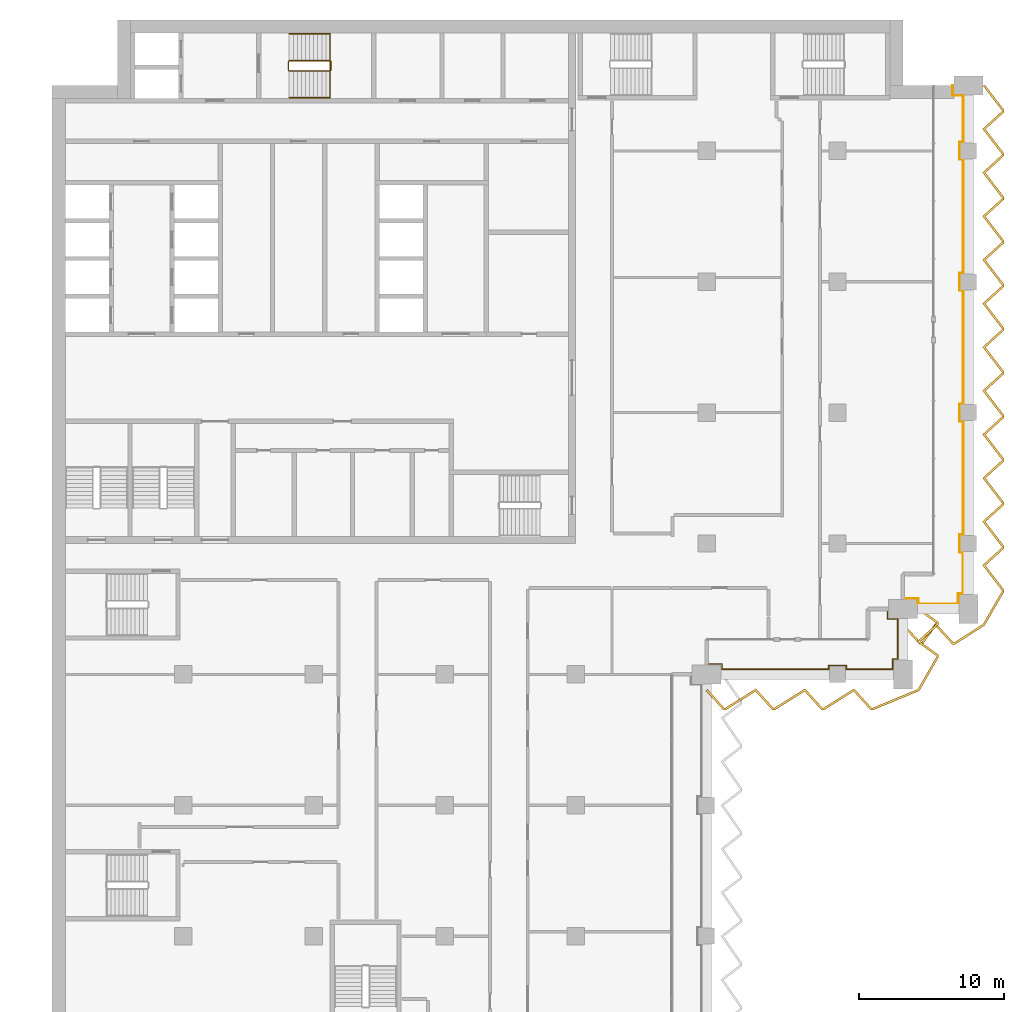
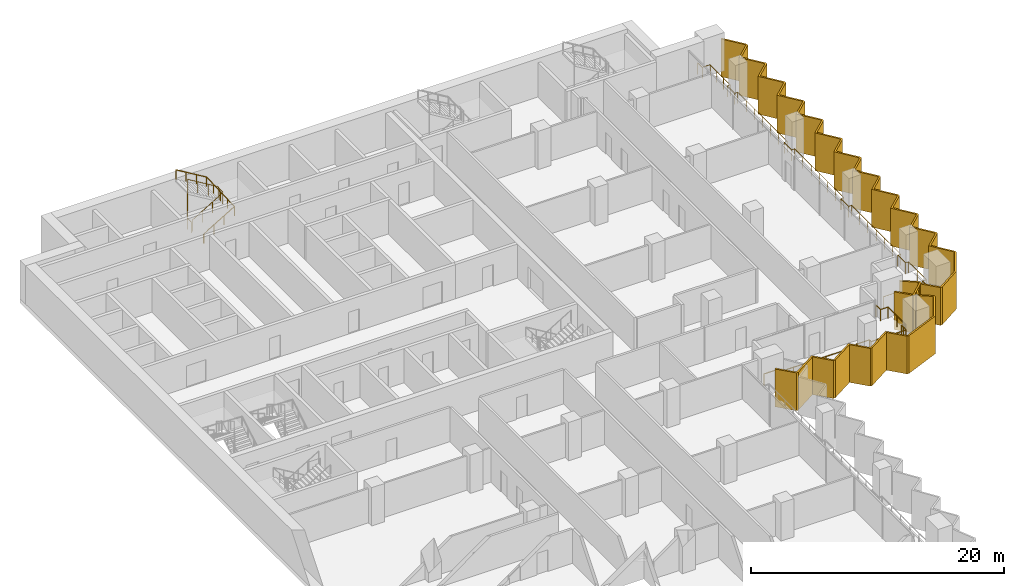
# One storey, part 22 of 23: 4 railings, 2 shading devices.
"""IFC4 building model written with IfcOpenShell, lengths in metres."""

from ifc_helpers import new_model, si_unit, direction, frame, origin, origin_2d, place, context, subcontext, project, spatial, polyline, circle, outline, extrude, material, layer, layer_set, type_object, element, save


model = new_model("IFC4")

# Units and contexts
model_context = context("Model", 3, precision=1e-05, world=origin(), true_north=direction((0.0, 1.0)))
body_context = subcontext(model_context, "Body", "Model", "MODEL_VIEW")
ifc_project = project(units=[si_unit("LENGTHUNIT", "METRE"), si_unit("AREAUNIT", "SQUARE_METRE"), si_unit("VOLUMEUNIT", "CUBIC_METRE"), si_unit("PLANEANGLEUNIT", "RADIAN"), si_unit("MASSUNIT", "GRAM", prefix="KILO")], contexts=[model_context])

# Site, building, storey
site_placement = place(None, origin())
site = spatial("IfcSite", under=ifc_project, at=site_placement, CompositionType="ELEMENT")
building_placement = place(site_placement, origin())
building = spatial("IfcBuilding", under=site, at=building_placement, Name="Hunhe Ridgeline Campus", CompositionType="ELEMENT")
storey_placement = place(building_placement, frame((0.0, 0.0, 144.89990234375)))
storey = spatial("IfcBuildingStorey", under=building, at=storey_placement, Name="L36", CompositionType="ELEMENT", Elevation=144.89990234375)

# Railings
ifc_material_1 = material(Name="Steel Q355", Category="steel")
railing_type_1 = type_object("IfcRailingType", Name="Loggia guard 1100 Steel Q355", PredefinedType="GUARDRAIL", material=ifc_material_1)
railing_1_placement = place(storey_placement, frame((45.0, 54.719970703125, 0.0)))
element("IfcRailing", 1, at=railing_1_placement, inside=storey, type_object=railing_type_1, Name="Loggia guard 2", PredefinedType="GUARDRAIL", context=body_context, shape_type="SweptSolid", body=[
    extrude(circle(Radius=0.02392578125, at=origin_2d()), frame((0.0, 0.0, 1.076171875), z_axis=(1.0, 0.0, 0.0), x_axis=(0.0, 1.0, 0.0)), (0.0, 0.0, 1.0), 1.050048828125),
    extrude(circle(Radius=0.02392578125, at=origin_2d()), frame((1.050048828125, 0.0, 1.076171875), z_axis=(0.0, -1.0, 0.0), x_axis=(1.0, 0.0, 0.0)), (0.0, 0.0, 1.0), 0.369873046875),
    extrude(circle(Radius=0.02392578125, at=origin_2d()), frame((1.050048828125, -0.369873046875, 1.076171875), z_axis=(1.0, 0.0, 0.0), x_axis=(0.0, 1.0, 0.0)), (0.0, 0.0, 1.0), 7.349853515625),
    extrude(circle(Radius=0.02392578125, at=origin_2d()), frame((8.39990234375, -0.369873046875, 1.076171875), z_axis=(0.0, 1.0, 0.0), x_axis=(-1.0, 0.0, 0.0)), (0.0, 0.0, 1.0), 0.27001953125),
    extrude(circle(Radius=0.02392578125, at=origin_2d()), frame((8.39990234375, -0.099853515625, 1.076171875), z_axis=(1.0, 0.0, 0.0), x_axis=(0.0, 1.0, 0.0)), (0.0, 0.0, 1.0), 1.2001953125),
    extrude(circle(Radius=0.02392578125, at=origin_2d()), frame((9.60009765625, -0.099853515625, 1.076171875), z_axis=(0.0, -1.0, 0.0), x_axis=(1.0, 0.0, 0.0)), (0.0, 0.0, 1.0), 0.27001953125),
    extrude(circle(Radius=0.02392578125, at=origin_2d()), frame((9.60009765625, -0.369873046875, 1.076171875), z_axis=(1.0, 0.0, 0.0), x_axis=(0.0, 1.0, 0.0)), (0.0, 0.0, 1.0), 3.199951171875),
    extrude(circle(Radius=0.02392578125, at=origin_2d()), frame((12.800048828125, -0.369873046875, 1.076171875), z_axis=(0.0, 1.0, 0.0), x_axis=(-1.0, 0.0, 0.0)), (0.0, 0.0, 1.0), 0.719970703125),
    extrude(circle(Radius=0.02392578125, at=origin_2d()), frame((12.800048828125, 0.35009765625, 1.076171875), z_axis=(-0.057089444596, -0.998369067688, 0.0), x_axis=(0.998369067688, -0.057089444596, 0.0)), (0.0, 0.0, 1.0), 0.3505859375),
    extrude(circle(Radius=0.02392578125, at=origin_2d()), frame((12.780029296875, 0.0, 1.076171875), z_axis=(0.0, 1.0, 0.0), x_axis=(-1.0, 0.0, 0.0)), (0.0, 0.0, 1.0), 0.330078125),
    extrude(circle(Radius=0.02392578125, at=origin_2d()), frame((12.780029296875, 0.330078125, 1.076171875), z_axis=(1.0, 0.0, 0.0), x_axis=(0.0, 1.0, 0.0)), (0.0, 0.0, 1.0), 0.369873046875),
    extrude(circle(Radius=0.02392578125, at=origin_2d()), frame((13.14990234375, 0.330078125, 1.076171875), z_axis=(0.0, 1.0, 0.0), x_axis=(-1.0, 0.0, 0.0)), (0.0, 0.0, 1.0), 2.75),
    extrude(circle(Radius=0.02392578125, at=origin_2d()), frame((13.14990234375, 3.080078125, 1.076171875), z_axis=(-1.0, 0.0, 0.0), x_axis=(0.0, -1.0, 0.0)), (0.0, 0.0, 1.0), 0.719970703125),
    extrude(circle(Radius=0.02392578125, at=origin_2d()), frame((12.429931640625, 3.080078125, 1.076171875), z_axis=(0.0, 1.0, 0.0), x_axis=(-1.0, 0.0, 0.0)), (0.0, 0.0, 1.0), 0.699951171875),
    extrude(circle(Radius=0.02099609375, at=origin_2d()), origin(), (0.0, 0.0, 1.0), 1.052001953125),
    extrude(circle(Radius=0.02099609375, at=origin_2d()), frame((1.050048828125, 0.0, 0.0)), (0.0, 0.0, 1.0), 1.052001953125),
    extrude(circle(Radius=0.02099609375, at=origin_2d()), frame((1.050048828125, -0.369873046875, 0.0)), (0.0, 0.0, 1.0), 1.052001953125),
    extrude(circle(Radius=0.02099609375, at=origin_2d()), frame((2.52001953125, -0.369873046875, 0.0)), (0.0, 0.0, 1.0), 1.052001953125),
    extrude(circle(Radius=0.02099609375, at=origin_2d()), frame((3.989990234375, -0.369873046875, 0.0)), (0.0, 0.0, 1.0), 1.052001953125),
    extrude(circle(Radius=0.02099609375, at=origin_2d()), frame((5.4599609375, -0.369873046875, 0.0)), (0.0, 0.0, 1.0), 1.052001953125),
    extrude(circle(Radius=0.02099609375, at=origin_2d()), frame((6.929931640625, -0.369873046875, 0.0)), (0.0, 0.0, 1.0), 1.052001953125),
    extrude(circle(Radius=0.02099609375, at=origin_2d()), frame((8.39990234375, -0.369873046875, 0.0)), (0.0, 0.0, 1.0), 1.052001953125),
    extrude(circle(Radius=0.02099609375, at=origin_2d()), frame((8.39990234375, -0.099853515625, 0.0)), (0.0, 0.0, 1.0), 1.052001953125),
    extrude(circle(Radius=0.02099609375, at=origin_2d()), frame((9.60009765625, -0.099853515625, 0.0)), (0.0, 0.0, 1.0), 1.052001953125),
    extrude(circle(Radius=0.02099609375, at=origin_2d()), frame((9.60009765625, -0.369873046875, 0.0)), (0.0, 0.0, 1.0), 1.052001953125),
    extrude(circle(Radius=0.02099609375, at=origin_2d()), frame((10.666748046875, -0.369873046875, 0.0)), (0.0, 0.0, 1.0), 1.052001953125),
    extrude(circle(Radius=0.02099609375, at=origin_2d()), frame((11.7333984375, -0.369873046875, 0.0)), (0.0, 0.0, 1.0), 1.052001953125),
    extrude(circle(Radius=0.02099609375, at=origin_2d()), frame((12.800048828125, -0.369873046875, 0.0)), (0.0, 0.0, 1.0), 1.052001953125),
    extrude(circle(Radius=0.02099609375, at=origin_2d()), frame((12.800048828125, 0.35009765625, 0.0)), (0.0, 0.0, 1.0), 1.052001953125),
    extrude(circle(Radius=0.02099609375, at=origin_2d()), frame((12.780029296875, 0.0, 0.0)), (0.0, 0.0, 1.0), 1.052001953125),
    extrude(circle(Radius=0.02099609375, at=origin_2d()), frame((12.780029296875, 0.330078125, 0.0)), (0.0, 0.0, 1.0), 1.052001953125),
    extrude(circle(Radius=0.02099609375, at=origin_2d()), frame((13.14990234375, 0.330078125, 0.0)), (0.0, 0.0, 1.0), 1.052001953125),
    extrude(circle(Radius=0.02099609375, at=origin_2d()), frame((13.14990234375, 1.705078125, 0.0)), (0.0, 0.0, 1.0), 1.052001953125),
    extrude(circle(Radius=0.02099609375, at=origin_2d()), frame((13.14990234375, 3.080078125, 0.0)), (0.0, 0.0, 1.0), 1.052001953125),
    extrude(circle(Radius=0.02099609375, at=origin_2d()), frame((12.429931640625, 3.080078125, 0.0)), (0.0, 0.0, 1.0), 1.052001953125),
    extrude(circle(Radius=0.02099609375, at=origin_2d()), frame((12.429931640625, 3.780029296875, 0.0)), (0.0, 0.0, 1.0), 1.052001953125),
])
railing_2_placement = place(storey_placement, frame((58.5, 59.219970703125, 0.0)))
element("IfcRailing", 2, at=railing_2_placement, inside=storey, type_object=railing_type_1, Name="Loggia guard 3", PredefinedType="GUARDRAIL", context=body_context, shape_type="SweptSolid", body=[
    extrude(circle(Radius=0.02392578125, at=origin_2d()), frame((0.0, 0.0, 1.076171875), z_axis=(1.0, 0.0, 0.0), x_axis=(0.0, 1.0, 0.0)), (0.0, 0.0, 1.0), 1.050048828125),
    extrude(circle(Radius=0.02392578125, at=origin_2d()), frame((1.050048828125, 0.0, 1.076171875), z_axis=(0.0, -1.0, 0.0), x_axis=(1.0, 0.0, 0.0)), (0.0, 0.0, 1.0), 0.369873046875),
    extrude(circle(Radius=0.02392578125, at=origin_2d()), frame((1.050048828125, -0.369873046875, 1.076171875), z_axis=(1.0, 0.0, 0.0), x_axis=(0.0, 1.0, 0.0)), (0.0, 0.0, 1.0), 2.75),
    extrude(circle(Radius=0.02392578125, at=origin_2d()), frame((3.800048828125, -0.369873046875, 1.076171875), z_axis=(0.0, 1.0, 0.0), x_axis=(-1.0, 0.0, 0.0)), (0.0, 0.0, 1.0), 0.719970703125),
    extrude(circle(Radius=0.02392578125, at=origin_2d()), frame((3.800048828125, 0.35009765625, 1.076171875), z_axis=(-0.057089444596, -0.998369067688, 0.0), x_axis=(0.998369067688, -0.057089444596, 0.0)), (0.0, 0.0, 1.0), 0.3505859375),
    extrude(circle(Radius=0.02392578125, at=origin_2d()), frame((3.780029296875, 0.0, 1.076171875), z_axis=(0.0, 1.0, 0.0), x_axis=(-1.0, 0.0, 0.0)), (0.0, 0.0, 1.0), 0.330078125),
    extrude(circle(Radius=0.02392578125, at=origin_2d()), frame((3.780029296875, 0.330078125, 1.076171875), z_axis=(1.0, 0.0, 0.0), x_axis=(0.0, 1.0, 0.0)), (0.0, 0.0, 1.0), 0.369873046875),
    extrude(circle(Radius=0.02392578125, at=origin_2d()), frame((4.14990234375, 0.330078125, 1.076171875), z_axis=(0.0, 1.0, 0.0), x_axis=(-1.0, 0.0, 0.0)), (0.0, 0.0, 1.0), 2.849853515625),
    extrude(circle(Radius=0.02392578125, at=origin_2d()), frame((4.14990234375, 3.179931640625, 1.076171875), z_axis=(-1.0, 0.0, 0.0), x_axis=(0.0, -1.0, 0.0)), (0.0, 0.0, 1.0), 0.27001953125),
    extrude(circle(Radius=0.02392578125, at=origin_2d()), frame((3.8798828125, 3.179931640625, 1.076171875), z_axis=(0.0, 1.0, 0.0), x_axis=(-1.0, 0.0, 0.0)), (0.0, 0.0, 1.0), 1.2001953125),
    extrude(circle(Radius=0.02392578125, at=origin_2d()), frame((3.8798828125, 4.380126953125, 1.076171875), z_axis=(1.0, 0.0, 0.0), x_axis=(0.0, 1.0, 0.0)), (0.0, 0.0, 1.0), 0.27001953125),
    extrude(circle(Radius=0.02392578125, at=origin_2d()), frame((4.14990234375, 4.380126953125, 1.076171875), z_axis=(0.0, 1.0, 0.0), x_axis=(-1.0, 0.0, 0.0)), (0.0, 0.0, 1.0), 7.7998046875),
    extrude(circle(Radius=0.02392578125, at=origin_2d()), frame((4.14990234375, 12.179931640625, 1.076171875), z_axis=(-1.0, 0.0, 0.0), x_axis=(0.0, -1.0, 0.0)), (0.0, 0.0, 1.0), 0.27001953125),
    extrude(circle(Radius=0.02392578125, at=origin_2d()), frame((3.8798828125, 12.179931640625, 1.076171875), z_axis=(0.0, 1.0, 0.0), x_axis=(-1.0, 0.0, 0.0)), (0.0, 0.0, 1.0), 1.2001953125),
    extrude(circle(Radius=0.02392578125, at=origin_2d()), frame((3.8798828125, 13.380126953125, 1.076171875), z_axis=(1.0, 0.0, 0.0), x_axis=(0.0, 1.0, 0.0)), (0.0, 0.0, 1.0), 0.27001953125),
    extrude(circle(Radius=0.02392578125, at=origin_2d()), frame((4.14990234375, 13.380126953125, 1.076171875), z_axis=(0.0, 1.0, 0.0), x_axis=(-1.0, 0.0, 0.0)), (0.0, 0.0, 1.0), 7.7998046875),
    extrude(circle(Radius=0.02392578125, at=origin_2d()), frame((4.14990234375, 21.179931640625, 1.076171875), z_axis=(-1.0, 0.0, 0.0), x_axis=(0.0, -1.0, 0.0)), (0.0, 0.0, 1.0), 0.27001953125),
    extrude(circle(Radius=0.02392578125, at=origin_2d()), frame((3.8798828125, 21.179931640625, 1.076171875), z_axis=(0.0, 1.0, 0.0), x_axis=(-1.0, 0.0, 0.0)), (0.0, 0.0, 1.0), 1.2001953125),
    extrude(circle(Radius=0.02392578125, at=origin_2d()), frame((3.8798828125, 22.380126953125, 1.076171875), z_axis=(1.0, 0.0, 0.0), x_axis=(0.0, 1.0, 0.0)), (0.0, 0.0, 1.0), 0.27001953125),
    extrude(circle(Radius=0.02392578125, at=origin_2d()), frame((4.14990234375, 22.380126953125, 1.076171875), z_axis=(0.0, 1.0, 0.0), x_axis=(-1.0, 0.0, 0.0)), (0.0, 0.0, 1.0), 7.7998046875),
    extrude(circle(Radius=0.02392578125, at=origin_2d()), frame((4.14990234375, 30.179931640625, 1.076171875), z_axis=(-1.0, 0.0, 0.0), x_axis=(0.0, -1.0, 0.0)), (0.0, 0.0, 1.0), 0.27001953125),
    extrude(circle(Radius=0.02392578125, at=origin_2d()), frame((3.8798828125, 30.179931640625, 1.076171875), z_axis=(0.0, 1.0, 0.0), x_axis=(-1.0, 0.0, 0.0)), (0.0, 0.0, 1.0), 1.2001953125),
    extrude(circle(Radius=0.02392578125, at=origin_2d()), frame((3.8798828125, 31.380126953125, 1.076171875), z_axis=(1.0, 0.0, 0.0), x_axis=(0.0, 1.0, 0.0)), (0.0, 0.0, 1.0), 0.27001953125),
    extrude(circle(Radius=0.02392578125, at=origin_2d()), frame((4.14990234375, 31.380126953125, 1.076171875), z_axis=(0.0, 1.0, 0.0), x_axis=(-1.0, 0.0, 0.0)), (0.0, 0.0, 1.0), 3.199951171875),
    extrude(circle(Radius=0.02392578125, at=origin_2d()), frame((4.14990234375, 34.580078125, 1.076171875), z_axis=(-1.0, 0.0, 0.0), x_axis=(0.0, -1.0, 0.0)), (0.0, 0.0, 1.0), 0.719970703125),
    extrude(circle(Radius=0.02392578125, at=origin_2d()), frame((3.429931640625, 34.580078125, 1.076171875), z_axis=(0.0, 1.0, 0.0), x_axis=(-1.0, 0.0, 0.0)), (0.0, 0.0, 1.0), 0.699951171875),
    extrude(circle(Radius=0.02099609375, at=origin_2d()), origin(), (0.0, 0.0, 1.0), 1.052001953125),
    extrude(circle(Radius=0.02099609375, at=origin_2d()), frame((1.050048828125, 0.0, 0.0)), (0.0, 0.0, 1.0), 1.052001953125),
    extrude(circle(Radius=0.02099609375, at=origin_2d()), frame((1.050048828125, -0.369873046875, 0.0)), (0.0, 0.0, 1.0), 1.052001953125),
    extrude(circle(Radius=0.02099609375, at=origin_2d()), frame((2.425048828125, -0.369873046875, 0.0)), (0.0, 0.0, 1.0), 1.052001953125),
    extrude(circle(Radius=0.02099609375, at=origin_2d()), frame((3.800048828125, -0.369873046875, 0.0)), (0.0, 0.0, 1.0), 1.052001953125),
    extrude(circle(Radius=0.02099609375, at=origin_2d()), frame((3.800048828125, 0.35009765625, 0.0)), (0.0, 0.0, 1.0), 1.052001953125),
    extrude(circle(Radius=0.02099609375, at=origin_2d()), frame((3.780029296875, 0.0, 0.0)), (0.0, 0.0, 1.0), 1.052001953125),
    extrude(circle(Radius=0.02099609375, at=origin_2d()), frame((3.780029296875, 0.330078125, 0.0)), (0.0, 0.0, 1.0), 1.052001953125),
    extrude(circle(Radius=0.02099609375, at=origin_2d()), frame((4.14990234375, 0.330078125, 0.0)), (0.0, 0.0, 1.0), 1.052001953125),
    extrude(circle(Radius=0.02099609375, at=origin_2d()), frame((4.14990234375, 1.7548828125, 0.0)), (0.0, 0.0, 1.0), 1.052001953125),
    extrude(circle(Radius=0.02099609375, at=origin_2d()), frame((4.14990234375, 3.179931640625, 0.0)), (0.0, 0.0, 1.0), 1.052001953125),
    extrude(circle(Radius=0.02099609375, at=origin_2d()), frame((3.8798828125, 3.179931640625, 0.0)), (0.0, 0.0, 1.0), 1.052001953125),
    extrude(circle(Radius=0.02099609375, at=origin_2d()), frame((3.8798828125, 4.380126953125, 0.0)), (0.0, 0.0, 1.0), 1.052001953125),
    extrude(circle(Radius=0.02099609375, at=origin_2d()), frame((4.14990234375, 4.380126953125, 0.0)), (0.0, 0.0, 1.0), 1.052001953125),
    extrude(circle(Radius=0.02099609375, at=origin_2d()), frame((4.14990234375, 5.68017578125, 0.0)), (0.0, 0.0, 1.0), 1.052001953125),
    extrude(circle(Radius=0.02099609375, at=origin_2d()), frame((4.14990234375, 6.97998046875, 0.0)), (0.0, 0.0, 1.0), 1.052001953125),
    extrude(circle(Radius=0.02099609375, at=origin_2d()), frame((4.14990234375, 8.280029296875, 0.0)), (0.0, 0.0, 1.0), 1.052001953125),
    extrude(circle(Radius=0.02099609375, at=origin_2d()), frame((4.14990234375, 9.580078125, 0.0)), (0.0, 0.0, 1.0), 1.052001953125),
    extrude(circle(Radius=0.02099609375, at=origin_2d()), frame((4.14990234375, 10.8798828125, 0.0)), (0.0, 0.0, 1.0), 1.052001953125),
    extrude(circle(Radius=0.02099609375, at=origin_2d()), frame((4.14990234375, 12.179931640625, 0.0)), (0.0, 0.0, 1.0), 1.052001953125),
    extrude(circle(Radius=0.02099609375, at=origin_2d()), frame((3.8798828125, 12.179931640625, 0.0)), (0.0, 0.0, 1.0), 1.052001953125),
    extrude(circle(Radius=0.02099609375, at=origin_2d()), frame((3.8798828125, 13.380126953125, 0.0)), (0.0, 0.0, 1.0), 1.052001953125),
    extrude(circle(Radius=0.02099609375, at=origin_2d()), frame((4.14990234375, 13.380126953125, 0.0)), (0.0, 0.0, 1.0), 1.052001953125),
    extrude(circle(Radius=0.02099609375, at=origin_2d()), frame((4.14990234375, 14.68017578125, 0.0)), (0.0, 0.0, 1.0), 1.052001953125),
    extrude(circle(Radius=0.02099609375, at=origin_2d()), frame((4.14990234375, 15.97998046875, 0.0)), (0.0, 0.0, 1.0), 1.052001953125),
    extrude(circle(Radius=0.02099609375, at=origin_2d()), frame((4.14990234375, 17.280029296875, 0.0)), (0.0, 0.0, 1.0), 1.052001953125),
    extrude(circle(Radius=0.02099609375, at=origin_2d()), frame((4.14990234375, 18.580078125, 0.0)), (0.0, 0.0, 1.0), 1.052001953125),
    extrude(circle(Radius=0.02099609375, at=origin_2d()), frame((4.14990234375, 19.8798828125, 0.0)), (0.0, 0.0, 1.0), 1.052001953125),
    extrude(circle(Radius=0.02099609375, at=origin_2d()), frame((4.14990234375, 21.179931640625, 0.0)), (0.0, 0.0, 1.0), 1.052001953125),
    extrude(circle(Radius=0.02099609375, at=origin_2d()), frame((3.8798828125, 21.179931640625, 0.0)), (0.0, 0.0, 1.0), 1.052001953125),
    extrude(circle(Radius=0.02099609375, at=origin_2d()), frame((3.8798828125, 22.380126953125, 0.0)), (0.0, 0.0, 1.0), 1.052001953125),
    extrude(circle(Radius=0.02099609375, at=origin_2d()), frame((4.14990234375, 22.380126953125, 0.0)), (0.0, 0.0, 1.0), 1.052001953125),
    extrude(circle(Radius=0.02099609375, at=origin_2d()), frame((4.14990234375, 23.68017578125, 0.0)), (0.0, 0.0, 1.0), 1.052001953125),
    extrude(circle(Radius=0.02099609375, at=origin_2d()), frame((4.14990234375, 24.97998046875, 0.0)), (0.0, 0.0, 1.0), 1.052001953125),
    extrude(circle(Radius=0.02099609375, at=origin_2d()), frame((4.14990234375, 26.280029296875, 0.0)), (0.0, 0.0, 1.0), 1.052001953125),
    extrude(circle(Radius=0.02099609375, at=origin_2d()), frame((4.14990234375, 27.580078125, 0.0)), (0.0, 0.0, 1.0), 1.052001953125),
    extrude(circle(Radius=0.02099609375, at=origin_2d()), frame((4.14990234375, 28.8798828125, 0.0)), (0.0, 0.0, 1.0), 1.052001953125),
    extrude(circle(Radius=0.02099609375, at=origin_2d()), frame((4.14990234375, 30.179931640625, 0.0)), (0.0, 0.0, 1.0), 1.052001953125),
    extrude(circle(Radius=0.02099609375, at=origin_2d()), frame((3.8798828125, 30.179931640625, 0.0)), (0.0, 0.0, 1.0), 1.052001953125),
    extrude(circle(Radius=0.02099609375, at=origin_2d()), frame((3.8798828125, 31.380126953125, 0.0)), (0.0, 0.0, 1.0), 1.052001953125),
    extrude(circle(Radius=0.02099609375, at=origin_2d()), frame((4.14990234375, 31.380126953125, 0.0)), (0.0, 0.0, 1.0), 1.052001953125),
    extrude(circle(Radius=0.02099609375, at=origin_2d()), frame((4.14990234375, 32.44677734375, 0.0)), (0.0, 0.0, 1.0), 1.052001953125),
    extrude(circle(Radius=0.02099609375, at=origin_2d()), frame((4.14990234375, 33.513427734375, 0.0)), (0.0, 0.0, 1.0), 1.052001953125),
    extrude(circle(Radius=0.02099609375, at=origin_2d()), frame((4.14990234375, 34.580078125, 0.0)), (0.0, 0.0, 1.0), 1.052001953125),
    extrude(circle(Radius=0.02099609375, at=origin_2d()), frame((3.429931640625, 34.580078125, 0.0)), (0.0, 0.0, 1.0), 1.052001953125),
    extrude(circle(Radius=0.02099609375, at=origin_2d()), frame((3.429931640625, 35.280029296875, 0.0)), (0.0, 0.0, 1.0), 1.052001953125),
])

# Shading devices
ifc_material_2 = material(Name="Concrete C50", Category="concrete")
ifc_layer = layer(ifc_material_2, 0.14990234375)
ifc_layer_set = layer_set([ifc_layer], Name="Sawtooth concrete fin 150 Concrete C50")
shading_device_type = type_object("IfcShadingDeviceType", Name="Sawtooth concrete fin 150 Concrete C50", PredefinedType="USERDEFINED", material=ifc_layer_set)
shading_device_1_placement = place(storey_placement, frame((0.0, 0.0, -0.949951171875)))
element("IfcShadingDevice", 3, at=shading_device_1_placement, inside=storey, type_object=shading_device_type, Name="Concrete fin screen 2", ObjectType="FIN", PredefinedType="USERDEFINED", context=body_context, shape_type="SweptSolid", body=[
    extrude(outline(polyline([(45.055419921875, 52.9755859375), (44.944580078125, 52.87451171875), (46.15283203125, 51.550048828125), (46.32763671875, 51.550048828125), (48.36181640625, 52.828125), (49.52783203125, 51.550048828125), (49.70263671875, 51.550048828125), (51.73681640625, 52.828125), (52.90283203125, 51.550048828125), (53.07763671875, 51.550048828125), (55.11181640625, 52.828125), (56.27783203125, 51.550048828125), (56.44580078125, 51.550048828125), (59.627197265625, 52.865478515625), (60.949951171875, 55.166015625), (60.949951171875, 55.34423828125), (59.693603515625, 56.256591796875), (60.949951171875, 57.40283203125), (60.949951171875, 57.59423828125), (59.619140625, 58.560791015625), (59.531005859375, 58.439208984375), (60.800048828125, 57.517822265625), (60.800048828125, 57.46923828125), (59.45654296875, 56.243408203125), (60.800048828125, 55.267822265625), (60.800048828125, 55.2060546875), (59.522705078125, 52.984619140625), (56.416015625, 51.699951171875), (56.34423828125, 51.699951171875), (55.13818359375, 53.021728515625), (53.034423828125, 51.699951171875), (52.96923828125, 51.699951171875), (51.76318359375, 53.021728515625), (49.659423828125, 51.699951171875), (49.59423828125, 51.699951171875), (48.38818359375, 53.021728515625), (46.284423828125, 51.699951171875), (46.21923828125, 51.699951171875), (45.055419921875, 52.9755859375)])), origin(), (0.0, 0.0, 1.0), 3.650146484375),
])
shading_device_2_placement = place(storey_placement, frame((0.0, 0.0, -0.949951171875)))
element("IfcShadingDevice", 4, at=shading_device_2_placement, inside=storey, type_object=shading_device_type, Name="Concrete fin screen 3", ObjectType="FIN", PredefinedType="USERDEFINED", context=body_context, shape_type="SweptSolid", body=[
    extrude(outline(polyline([(58.555419921875, 57.4755859375), (58.444580078125, 57.37451171875), (59.65283203125, 56.050048828125), (59.84423828125, 56.050048828125), (60.756591796875, 57.306396484375), (61.90283203125, 56.050048828125), (62.078125, 56.050048828125), (64.130859375, 57.371826171875), (65.449951171875, 59.666015625), (65.449951171875, 59.83154296875), (64.176513671875, 61.490966796875), (65.449951171875, 62.65283203125), (65.449951171875, 62.83154296875), (64.176513671875, 64.490966796875), (65.449951171875, 65.65283203125), (65.449951171875, 65.83154296875), (64.176513671875, 67.490966796875), (65.449951171875, 68.65283203125), (65.449951171875, 68.83154296875), (64.176513671875, 70.490966796875), (65.449951171875, 71.65283203125), (65.449951171875, 71.83154296875), (64.176513671875, 73.490966796875), (65.449951171875, 74.65283203125), (65.449951171875, 74.83154296875), (64.176513671875, 76.490966796875), (65.449951171875, 77.65283203125), (65.449951171875, 77.83154296875), (64.176513671875, 79.490966796875), (65.449951171875, 80.65283203125), (65.449951171875, 80.83154296875), (64.176513671875, 82.490966796875), (65.449951171875, 83.65283203125), (65.449951171875, 83.83154296875), (64.176513671875, 85.490966796875), (65.449951171875, 86.65283203125), (65.449951171875, 86.83154296875), (64.176513671875, 88.490966796875), (65.449951171875, 89.65283203125), (65.449951171875, 89.83154296875), (64.176513671875, 91.490966796875), (65.449951171875, 92.65283203125), (65.449951171875, 92.83154296875), (64.134521484375, 94.545654296875), (64.015380859375, 94.454345703125), (65.300048828125, 92.780517578125), (65.300048828125, 92.71923828125), (63.9736328125, 91.509033203125), (65.300048828125, 89.780517578125), (65.300048828125, 89.71923828125), (63.9736328125, 88.509033203125), (65.300048828125, 86.780517578125), (65.300048828125, 86.71923828125), (63.9736328125, 85.509033203125), (65.300048828125, 83.780517578125), (65.300048828125, 83.71923828125), (63.9736328125, 82.509033203125), (65.300048828125, 80.780517578125), (65.300048828125, 80.71923828125), (63.9736328125, 79.509033203125), (65.300048828125, 77.780517578125), (65.300048828125, 77.71923828125), (63.9736328125, 76.509033203125), (65.300048828125, 74.780517578125), (65.300048828125, 74.71923828125), (63.9736328125, 73.509033203125), (65.300048828125, 71.780517578125), (65.300048828125, 71.71923828125), (63.9736328125, 70.509033203125), (65.300048828125, 68.780517578125), (65.300048828125, 68.71923828125), (63.9736328125, 67.509033203125), (65.300048828125, 65.780517578125), (65.300048828125, 65.71923828125), (63.9736328125, 64.509033203125), (65.300048828125, 62.780517578125), (65.300048828125, 62.71923828125), (63.9736328125, 61.509033203125), (65.300048828125, 59.780517578125), (65.300048828125, 59.7060546875), (64.01904296875, 57.478271484375), (62.033935546875, 56.199951171875), (61.96923828125, 56.199951171875), (60.743408203125, 57.54345703125), (59.767822265625, 56.199951171875), (59.71923828125, 56.199951171875), (58.555419921875, 57.4755859375)])), origin(), (0.0, 0.0, 1.0), 3.650146484375),
])

# Railings
ifc_material_3 = material(Name="Stainless steel balustrade", Category="steel")
railing_type_2 = type_object("IfcRailingType", Name="Stair guard 1100 stainless", PredefinedType="GUARDRAIL", material=ifc_material_3)
railing_3_placement = place(storey_placement, frame((16.300048828125, 95.5, 0.168212890625)))
element("IfcRailing", 5, at=railing_3_placement, inside=storey, type_object=railing_type_2, Name="L36 stair S1 guard", PredefinedType="GUARDRAIL", context=body_context, shape_type="SweptSolid", body=[
    extrude(circle(Radius=0.02392578125, at=origin_2d()), frame((0.0, 0.0, 1.076171875), z_axis=(0.857242210791, 0.0, 0.514913383045), x_axis=(0.0, 1.0, 0.0)), (0.0, 0.0, 1.0), 3.266357421875),
    extrude(circle(Radius=0.02392578125, at=origin_2d()), frame((2.800048828125, 0.0, 2.7578125), z_axis=(0.705375805398, 0.708833529934, 0.0), x_axis=(-0.708833529934, 0.705375805398, 0.0)), (0.0, 0.0, 1.0), 0.070556640625),
    extrude(circle(Radius=0.02392578125, at=origin_2d()), frame((2.849853515625, 0.050048828125, 2.7578125), z_axis=(0.0, 1.0, 0.0), x_axis=(-1.0, 0.0, 0.0)), (0.0, 0.0, 1.0), 0.599853515625),
    extrude(circle(Radius=0.02392578125, at=origin_2d()), frame((2.849853515625, 0.64990234375, 2.7578125), z_axis=(-0.273006030465, 0.27434429532, 0.922064485248), x_axis=(-0.708833529934, -0.705375805398, 0.0)), (0.0, 0.0, 1.0), 0.182373046875),
    extrude(circle(Radius=0.02392578125, at=origin_2d()), frame((2.800048828125, 0.699951171875, 2.92626953125), z_axis=(-0.857242210791, 0.0, 0.514913383045), x_axis=(0.0, -1.0, 0.0)), (0.0, 0.0, 1.0), 3.266357421875),
    extrude(circle(Radius=0.02392578125, at=origin_2d()), frame((0.0, 0.699951171875, 4.60791015625), z_axis=(-0.013523522368, -0.013523522368, -0.999817097616), x_axis=(0.707106781187, -0.707106781187, 0.0)), (0.0, 0.0, 1.0), 3.700927734375),
    extrude(circle(Radius=0.02392578125, at=origin_2d()), frame((-0.050048828125, 0.64990234375, 0.90771484375), z_axis=(0.0, -1.0, 0.0), x_axis=(1.0, 0.0, 0.0)), (0.0, 0.0, 1.0), 0.599853515625),
    extrude(circle(Radius=0.02099609375, at=origin_2d()), origin(), (0.0, 0.0, 1.0), 1.052001953125),
    extrude(circle(Radius=0.02099609375, at=origin_2d()), frame((0.933349609375, 0.0, 0.560546875)), (0.0, 0.0, 1.0), 1.052001953125),
    extrude(circle(Radius=0.02099609375, at=origin_2d()), frame((1.86669921875, 0.0, 1.121337890625)), (0.0, 0.0, 1.0), 1.052001953125),
    extrude(circle(Radius=0.02099609375, at=origin_2d()), frame((2.800048828125, 0.0, 1.681884765625)), (0.0, 0.0, 1.0), 1.052001953125),
    extrude(circle(Radius=0.02099609375, at=origin_2d()), frame((2.849853515625, 0.050048828125, 1.681884765625)), (0.0, 0.0, 1.0), 1.052001953125),
    extrude(circle(Radius=0.02099609375, at=origin_2d()), frame((2.849853515625, 0.64990234375, 1.681884765625)), (0.0, 0.0, 1.0), 1.052001953125),
    extrude(circle(Radius=0.02099609375, at=origin_2d()), frame((2.800048828125, 0.699951171875, 1.85009765625)), (0.0, 0.0, 1.0), 1.052001953125),
    extrude(circle(Radius=0.02099609375, at=origin_2d()), frame((1.86669921875, 0.699951171875, 2.41064453125)), (0.0, 0.0, 1.0), 1.052001953125),
    extrude(circle(Radius=0.02099609375, at=origin_2d()), frame((0.933349609375, 0.699951171875, 2.971435546875)), (0.0, 0.0, 1.0), 1.052001953125),
    extrude(circle(Radius=0.02099609375, at=origin_2d()), frame((0.0, 0.699951171875, 3.531982421875)), (0.0, 0.0, 1.0), 1.052001953125),
    extrude(circle(Radius=0.02099609375, at=origin_2d()), frame((-0.012451171875, 0.6875, 2.60693359375)), (0.0, 0.0, 1.0), 1.052001953125),
    extrude(circle(Radius=0.02099609375, at=origin_2d()), frame((-0.02490234375, 0.6748046875, 1.681884765625)), (0.0, 0.0, 1.0), 1.052001953125),
    extrude(circle(Radius=0.02099609375, at=origin_2d()), frame((-0.03759765625, 0.662353515625, 0.7568359375)), (0.0, 0.0, 1.0), 1.052001953125),
    extrude(circle(Radius=0.02099609375, at=origin_2d()), frame((-0.050048828125, 0.64990234375, -0.168212890625)), (0.0, 0.0, 1.0), 1.052001953125),
    extrude(circle(Radius=0.02099609375, at=origin_2d()), frame((-0.050048828125, 0.050048828125, -0.168212890625)), (0.0, 0.0, 1.0), 1.052001953125),
])
ifc_material_4 = material(Name="Stainless steel handrail", Category="steel")
railing_type_3 = type_object("IfcRailingType", Name="Stair handrail 900 stainless", PredefinedType="HANDRAIL", material=ifc_material_4)
railing_4_placement = place(storey_placement, frame((16.300048828125, 93.64990234375, 0.168212890625)))
element("IfcRailing", 6, at=railing_4_placement, inside=storey, type_object=railing_type_3, Name="L36 stair S1 handrail", PredefinedType="HANDRAIL", context=body_context, shape_type="SweptSolid", body=[
    extrude(circle(Radius=0.02392578125, at=origin_2d()), frame((0.0, 0.0, 0.8759765625), z_axis=(0.857242210791, 0.0, 0.514913383045), x_axis=(0.0, 1.0, 0.0)), (0.0, 0.0, 1.0), 3.266357421875),
    extrude(circle(Radius=0.02392578125, at=origin_2d()), frame((2.800048828125, 0.0, 2.5576171875), z_axis=(0.0, 0.999270074432, 0.038201025428), x_axis=(-1.0, 0.0, 0.0)), (0.0, 0.0, 1.0), 4.4033203125),
    extrude(circle(Radius=0.02392578125, at=origin_2d()), frame((2.800048828125, 4.400146484375, 2.72607421875), z_axis=(-0.857242210791, 0.0, 0.514913383045), x_axis=(0.0, -1.0, 0.0)), (0.0, 0.0, 1.0), 3.266357421875),
    extrude(circle(Radius=0.02099609375, at=origin_2d()), origin(), (0.0, 0.0, 1.0), 0.851806640625),
    extrude(circle(Radius=0.02099609375, at=origin_2d()), frame((0.933349609375, 0.0, 0.560546875)), (0.0, 0.0, 1.0), 0.851806640625),
    extrude(circle(Radius=0.02099609375, at=origin_2d()), frame((1.86669921875, 0.0, 1.121337890625)), (0.0, 0.0, 1.0), 0.851806640625),
    extrude(circle(Radius=0.02099609375, at=origin_2d()), frame((2.800048828125, 0.0, 1.681884765625)), (0.0, 0.0, 1.0), 0.851806640625),
    extrude(circle(Radius=0.02099609375, at=origin_2d()), frame((2.800048828125, 1.10009765625, 1.723876953125)), (0.0, 0.0, 1.0), 0.851806640625),
    extrude(circle(Radius=0.02099609375, at=origin_2d()), frame((2.800048828125, 2.2001953125, 1.76611328125)), (0.0, 0.0, 1.0), 0.851806640625),
    extrude(circle(Radius=0.02099609375, at=origin_2d()), frame((2.800048828125, 3.300048828125, 1.80810546875)), (0.0, 0.0, 1.0), 0.851806640625),
    extrude(circle(Radius=0.02099609375, at=origin_2d()), frame((2.800048828125, 4.400146484375, 1.85009765625)), (0.0, 0.0, 1.0), 0.851806640625),
    extrude(circle(Radius=0.02099609375, at=origin_2d()), frame((1.86669921875, 4.400146484375, 2.41064453125)), (0.0, 0.0, 1.0), 0.851806640625),
    extrude(circle(Radius=0.02099609375, at=origin_2d()), frame((0.933349609375, 4.400146484375, 2.971435546875)), (0.0, 0.0, 1.0), 0.851806640625),
    extrude(circle(Radius=0.02099609375, at=origin_2d()), frame((0.0, 4.400146484375, 3.531982421875)), (0.0, 0.0, 1.0), 0.851806640625),
])

save(model, "model.ifc")
